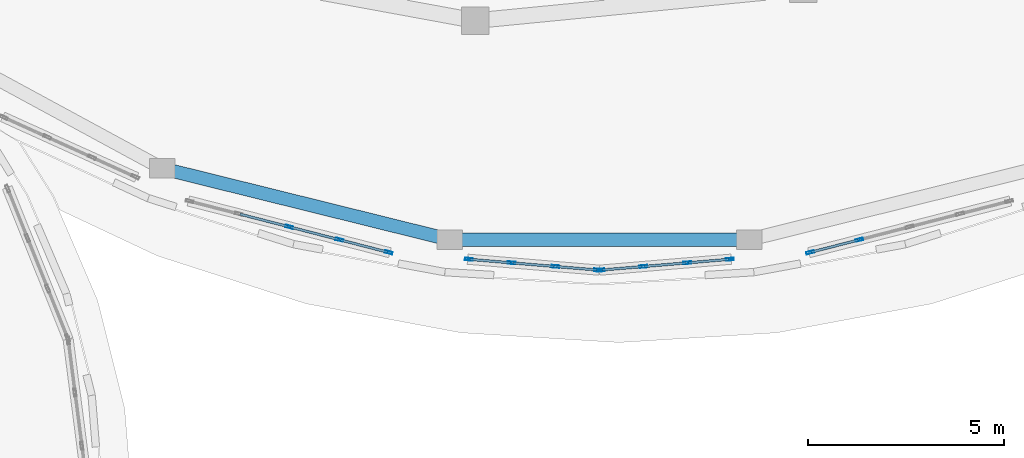
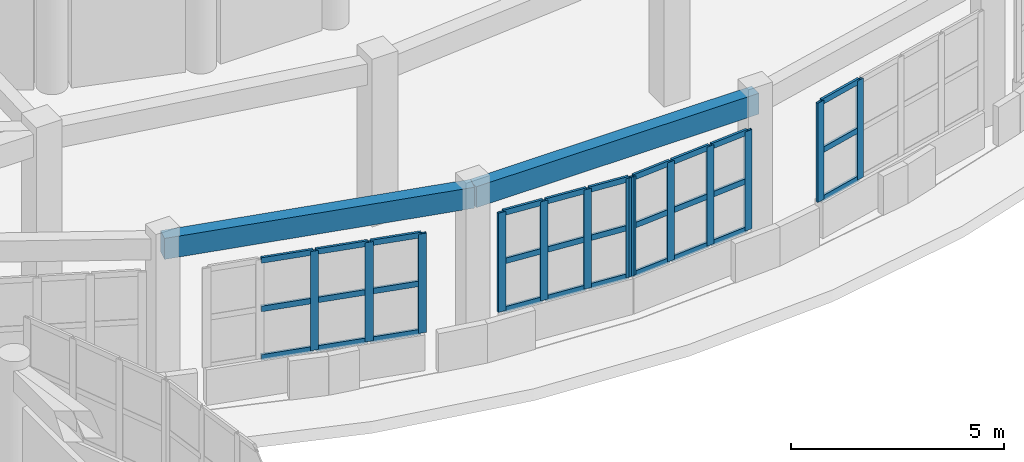
# One storey, part 28 of 98: 43 members, 2 beams, 4 elements without a shape of their own.
"""IFC4 building model written with IfcOpenShell, lengths in metres."""

from ifc_helpers import new_model, si_unit, direction, frame, origin, origin_2d, place, context, subcontext, project, spatial, rectangle, hollow_rectangle, extrude, material, layer, layer_set, material_profile, profile_set, type_object, element, aggregate, save


model = new_model("IFC4")

# Units and contexts
model_context = context("Model", 3, precision=1e-05, world=origin(), true_north=direction((0.0, 1.0)))
body_context = subcontext(model_context, "Body", "Model", "MODEL_VIEW")
ifc_project = project(units=[si_unit("LENGTHUNIT", "METRE"), si_unit("AREAUNIT", "SQUARE_METRE"), si_unit("VOLUMEUNIT", "CUBIC_METRE"), si_unit("PLANEANGLEUNIT", "RADIAN"), si_unit("MASSUNIT", "GRAM", prefix="KILO")], contexts=[model_context])

# Site, building, storey
site_placement = place(None, origin())
site = spatial("IfcSite", under=ifc_project, at=site_placement, CompositionType="ELEMENT")
building_placement = place(site_placement, origin())
building = spatial("IfcBuilding", under=site, at=building_placement, Name="Pelvatis Terrace Science Centre", CompositionType="ELEMENT")
storey_placement = place(building_placement, frame((0.0, 0.0, 5.39990234375)))
storey = spatial("IfcBuildingStorey", under=building, at=storey_placement, Name="L01", CompositionType="ELEMENT", Elevation=5.39990234375)

# Curtain wall, members
ifc_material_1 = material(Name="Bronze-anodised aluminium and laminated glass", Category="aluminium")
ifc_layer = layer(ifc_material_1, 0.199951171875)
ifc_layer_set = layer_set([ifc_layer], Name="Bronze-anodised aluminium and laminated glass")
curtain_wall_type = type_object("IfcCurtainWallType", Name="CW-RIBBON-B", PredefinedType="NOTDEFINED", material=ifc_layer_set)
curtain_wall_1_placement = place(storey_placement, origin())
curtain_wall_1 = element("IfcCurtainWall", 1, at=curtain_wall_1_placement, inside=storey, type_object=curtain_wall_type, Name="Ribbon curtain wall CW-145 (L01)", PredefinedType="NOTDEFINED")
ifc_material_2 = material(Name="Bronze-anodised aluminium 6063-T6", Category="aluminium")
ifc_material_profile_1 = material_profile(ifc_material_2, hollow_rectangle(XDim=0.06494140625, YDim=0.199951171875, WallThickness=0.00439453125, at=origin_2d()), Name="ALU-MUL 65x200")
ifc_profile_set_1 = profile_set([ifc_material_profile_1], Name="Bronze-anodised aluminium 6063-T6")
member_type_1 = type_object("IfcMemberType", Name="CWM-65x200", PredefinedType="MULLION", material=ifc_profile_set_1)
member_1_placement = place(storey_placement, frame((103.170166015625, 60.658203125, 1.02001953125), z_axis=(0.0, 0.0, 1.0), x_axis=(0.248854534923, 0.968540871852, 0.0)))
member_1 = element("IfcMember", 2, at=member_1_placement, type_object=member_type_1, Name="CW-145 mullion 3", PredefinedType="MULLION", context=body_context, shape_type="SweptSolid", body=[
    extrude(hollow_rectangle(XDim=0.06494140625, YDim=0.199951171875, WallThickness=0.00439453125, at=origin_2d()), origin(), (0.0, 0.0, 1.0), 2.840087890625),
])
member_2_placement = place(storey_placement, frame((104.45751953125, 60.327392578125, 1.02001953125), z_axis=(0.0, 0.0, 1.0), x_axis=(0.248854534923, 0.968540871852, 0.0)))
member_2 = element("IfcMember", 3, at=member_2_placement, type_object=member_type_1, Name="CW-145 mullion 4", PredefinedType="MULLION", context=body_context, shape_type="SweptSolid", body=[
    extrude(hollow_rectangle(XDim=0.06494140625, YDim=0.199951171875, WallThickness=0.00439453125, at=origin_2d()), origin(), (0.0, 0.0, 1.0), 2.840087890625),
])
member_3_placement = place(storey_placement, frame((105.71337890625, 60.0048828125, 1.02001953125), z_axis=(0.0, 0.0, 1.0), x_axis=(0.248854534923, 0.968540871852, 0.0)))
member_3 = element("IfcMember", 4, at=member_3_placement, type_object=member_type_1, Name="CW-145 mullion 5", PredefinedType="MULLION", context=body_context, shape_type="SweptSolid", body=[
    extrude(hollow_rectangle(XDim=0.06494140625, YDim=0.199951171875, WallThickness=0.00439453125, at=origin_2d()), origin(), (0.0, 0.0, 1.0), 2.840087890625),
])

curtain_wall_2_placement = place(storey_placement, origin())
curtain_wall_2 = element("IfcCurtainWall", 5, at=curtain_wall_2_placement, inside=storey, type_object=curtain_wall_type, Name="Ribbon curtain wall CW-146 (L01)", PredefinedType="NOTDEFINED")
member_4_placement = place(storey_placement, frame((107.76416015625, 59.828369140625, 1.02001953125), z_axis=(0.0, 0.0, 1.0), x_axis=(0.083136073241, 0.99653820465, 0.0)))
member_4 = element("IfcMember", 6, at=member_4_placement, type_object=member_type_1, Name="CW-146 mullion 1", PredefinedType="MULLION", context=body_context, shape_type="SweptSolid", body=[
    extrude(hollow_rectangle(XDim=0.06494140625, YDim=0.199951171875, WallThickness=0.00439453125, at=origin_2d()), origin(), (0.0, 0.0, 1.0), 2.840087890625),
])
member_5_placement = place(storey_placement, frame((108.8544921875, 59.7373046875, 1.02001953125), z_axis=(0.0, 0.0, 1.0), x_axis=(0.083136073241, 0.99653820465, 0.0)))
member_5 = element("IfcMember", 7, at=member_5_placement, type_object=member_type_1, Name="CW-146 mullion 2", PredefinedType="MULLION", context=body_context, shape_type="SweptSolid", body=[
    extrude(hollow_rectangle(XDim=0.06494140625, YDim=0.199951171875, WallThickness=0.00439453125, at=origin_2d()), origin(), (0.0, 0.0, 1.0), 2.840087890625),
])
member_6_placement = place(storey_placement, frame((109.977294921875, 59.6435546875, 1.02001953125), z_axis=(0.0, 0.0, 1.0), x_axis=(0.083136073241, 0.99653820465, 0.0)))
member_6 = element("IfcMember", 8, at=member_6_placement, type_object=member_type_1, Name="CW-146 mullion 3", PredefinedType="MULLION", context=body_context, shape_type="SweptSolid", body=[
    extrude(hollow_rectangle(XDim=0.06494140625, YDim=0.199951171875, WallThickness=0.00439453125, at=origin_2d()), origin(), (0.0, 0.0, 1.0), 2.840087890625),
])
member_7_placement = place(storey_placement, frame((111.067626953125, 59.552734375, 1.02001953125), z_axis=(0.0, 0.0, 1.0), x_axis=(0.083136073241, 0.99653820465, 0.0)))
member_7 = element("IfcMember", 9, at=member_7_placement, type_object=member_type_1, Name="CW-146 mullion 4", PredefinedType="MULLION", context=body_context, shape_type="SweptSolid", body=[
    extrude(hollow_rectangle(XDim=0.06494140625, YDim=0.199951171875, WallThickness=0.00439453125, at=origin_2d()), origin(), (0.0, 0.0, 1.0), 2.840087890625),
])

curtain_wall_3_placement = place(storey_placement, origin())
curtain_wall_3 = element("IfcCurtainWall", 10, at=curtain_wall_3_placement, inside=storey, type_object=curtain_wall_type, Name="Ribbon curtain wall CW-147 (L01)", PredefinedType="NOTDEFINED")
member_8_placement = place(storey_placement, frame((111.13232421875, 59.552734375, 1.02001953125), z_axis=(0.0, 0.0, 1.0), x_axis=(-0.083136073241, 0.99653820465, 0.0)))
member_8 = element("IfcMember", 11, at=member_8_placement, type_object=member_type_1, Name="CW-147 mullion 1", PredefinedType="MULLION", context=body_context, shape_type="SweptSolid", body=[
    extrude(hollow_rectangle(XDim=0.06494140625, YDim=0.199951171875, WallThickness=0.00439453125, at=origin_2d()), origin(), (0.0, 0.0, 1.0), 2.840087890625),
])
member_9_placement = place(storey_placement, frame((112.22265625, 59.6435546875, 1.02001953125), z_axis=(0.0, 0.0, 1.0), x_axis=(-0.083136073241, 0.99653820465, 0.0)))
member_9 = element("IfcMember", 12, at=member_9_placement, type_object=member_type_1, Name="CW-147 mullion 2", PredefinedType="MULLION", context=body_context, shape_type="SweptSolid", body=[
    extrude(hollow_rectangle(XDim=0.06494140625, YDim=0.199951171875, WallThickness=0.00439453125, at=origin_2d()), origin(), (0.0, 0.0, 1.0), 2.840087890625),
])
member_10_placement = place(storey_placement, frame((113.345458984375, 59.7373046875, 1.02001953125), z_axis=(0.0, 0.0, 1.0), x_axis=(-0.083136073241, 0.99653820465, 0.0)))
member_10 = element("IfcMember", 13, at=member_10_placement, type_object=member_type_1, Name="CW-147 mullion 3", PredefinedType="MULLION", context=body_context, shape_type="SweptSolid", body=[
    extrude(hollow_rectangle(XDim=0.06494140625, YDim=0.199951171875, WallThickness=0.00439453125, at=origin_2d()), origin(), (0.0, 0.0, 1.0), 2.840087890625),
])
member_11_placement = place(storey_placement, frame((114.435791015625, 59.828369140625, 1.02001953125), z_axis=(0.0, 0.0, 1.0), x_axis=(-0.083136073241, 0.99653820465, 0.0)))
member_11 = element("IfcMember", 14, at=member_11_placement, type_object=member_type_1, Name="CW-147 mullion 4", PredefinedType="MULLION", context=body_context, shape_type="SweptSolid", body=[
    extrude(hollow_rectangle(XDim=0.06494140625, YDim=0.199951171875, WallThickness=0.00439453125, at=origin_2d()), origin(), (0.0, 0.0, 1.0), 2.840087890625),
])

curtain_wall_4_placement = place(storey_placement, origin())
curtain_wall_4 = element("IfcCurtainWall", 15, at=curtain_wall_4_placement, inside=storey, type_object=curtain_wall_type, Name="Ribbon curtain wall CW-148 (L01)", PredefinedType="NOTDEFINED")
member_12_placement = place(storey_placement, frame((116.486572265625, 60.0048828125, 1.02001953125), z_axis=(0.0, 0.0, 1.0), x_axis=(-0.248854534923, 0.968540871852, 0.0)))
member_12 = element("IfcMember", 16, at=member_12_placement, type_object=member_type_1, Name="CW-148 mullion 1", PredefinedType="MULLION", context=body_context, shape_type="SweptSolid", body=[
    extrude(hollow_rectangle(XDim=0.06494140625, YDim=0.199951171875, WallThickness=0.00439453125, at=origin_2d()), origin(), (0.0, 0.0, 1.0), 2.840087890625),
])
member_13_placement = place(storey_placement, frame((117.74267578125, 60.327392578125, 1.02001953125), z_axis=(0.0, 0.0, 1.0), x_axis=(-0.248854534923, 0.968540871852, 0.0)))
member_13 = element("IfcMember", 17, at=member_13_placement, type_object=member_type_1, Name="CW-148 mullion 2", PredefinedType="MULLION", context=body_context, shape_type="SweptSolid", body=[
    extrude(hollow_rectangle(XDim=0.06494140625, YDim=0.199951171875, WallThickness=0.00439453125, at=origin_2d()), origin(), (0.0, 0.0, 1.0), 2.840087890625),
])

# Member
ifc_material_3 = material(Name="Bronze-anodised aluminium 6063-T6", Category="aluminium")
ifc_material_profile_2 = material_profile(ifc_material_3, hollow_rectangle(XDim=0.06494140625, YDim=0.159912109375, WallThickness=0.00390625, at=origin_2d()), Name="ALU-TRN 65x160")
ifc_profile_set_2 = profile_set([ifc_material_profile_2], Name="Bronze-anodised aluminium 6063-T6")
member_type_2 = type_object("IfcMemberType", Name="CWT-65x160", PredefinedType="USERDEFINED", material=ifc_profile_set_2)
member_14_placement = place(storey_placement, frame((101.9140625, 60.98095703125, 1.052490234375), z_axis=(0.968531509085, -0.248890971932, 0.0), x_axis=(0.248890971932, 0.968531509085, 0.0)))
member_14 = element("IfcMember", 18, at=member_14_placement, type_object=member_type_2, Name="CW-145 transom 2.1", ObjectType="TRANSOM", PredefinedType="USERDEFINED", context=body_context, shape_type="SweptSolid", body=[
    extrude(hollow_rectangle(XDim=0.06494140625, YDim=0.159912109375, WallThickness=0.00390625, at=origin_2d()), origin(), (0.0, 0.0, 1.0), 1.264404296875),
])

member_15_placement = place(storey_placement, frame((101.9140625, 60.98095703125, 2.440185546875), z_axis=(0.968531509085, -0.248890971932, 0.0), x_axis=(0.248890971932, 0.968531509085, 0.0)))
member_15 = element("IfcMember", 19, at=member_15_placement, type_object=member_type_2, Name="CW-145 transom 2.2", ObjectType="TRANSOM", PredefinedType="USERDEFINED", context=body_context, shape_type="SweptSolid", body=[
    extrude(hollow_rectangle(XDim=0.06494140625, YDim=0.159912109375, WallThickness=0.00390625, at=origin_2d()), origin(), (0.0, 0.0, 1.0), 1.264404296875),
])

member_16_placement = place(storey_placement, frame((101.9140625, 60.98095703125, 3.82763671875), z_axis=(0.968531509085, -0.248890971932, 0.0), x_axis=(0.248890971932, 0.968531509085, 0.0)))
member_16 = element("IfcMember", 20, at=member_16_placement, type_object=member_type_2, Name="CW-145 transom 2.3", ObjectType="TRANSOM", PredefinedType="USERDEFINED", context=body_context, shape_type="SweptSolid", body=[
    extrude(hollow_rectangle(XDim=0.06494140625, YDim=0.159912109375, WallThickness=0.00390625, at=origin_2d()), origin(), (0.0, 0.0, 1.0), 1.264404296875),
])

member_17_placement = place(storey_placement, frame((103.201416015625, 60.650146484375, 1.052490234375), z_axis=(0.968531509085, -0.248890971932, 0.0), x_axis=(0.248890971932, 0.968531509085, 0.0)))
member_17 = element("IfcMember", 21, at=member_17_placement, type_object=member_type_2, Name="CW-145 transom 3.1", ObjectType="TRANSOM", PredefinedType="USERDEFINED", context=body_context, shape_type="SweptSolid", body=[
    extrude(hollow_rectangle(XDim=0.06494140625, YDim=0.159912109375, WallThickness=0.00390625, at=origin_2d()), origin(), (0.0, 0.0, 1.0), 1.264404296875),
])

member_18_placement = place(storey_placement, frame((103.201416015625, 60.650146484375, 2.440185546875), z_axis=(0.968531509085, -0.248890971932, 0.0), x_axis=(0.248890971932, 0.968531509085, 0.0)))
member_18 = element("IfcMember", 22, at=member_18_placement, type_object=member_type_2, Name="CW-145 transom 3.2", ObjectType="TRANSOM", PredefinedType="USERDEFINED", context=body_context, shape_type="SweptSolid", body=[
    extrude(hollow_rectangle(XDim=0.06494140625, YDim=0.159912109375, WallThickness=0.00390625, at=origin_2d()), origin(), (0.0, 0.0, 1.0), 1.264404296875),
])

member_19_placement = place(storey_placement, frame((103.201416015625, 60.650146484375, 3.82763671875), z_axis=(0.968531509085, -0.248890971932, 0.0), x_axis=(0.248890971932, 0.968531509085, 0.0)))
member_19 = element("IfcMember", 23, at=member_19_placement, type_object=member_type_2, Name="CW-145 transom 3.3", ObjectType="TRANSOM", PredefinedType="USERDEFINED", context=body_context, shape_type="SweptSolid", body=[
    extrude(hollow_rectangle(XDim=0.06494140625, YDim=0.159912109375, WallThickness=0.00390625, at=origin_2d()), origin(), (0.0, 0.0, 1.0), 1.264404296875),
])

member_20_placement = place(storey_placement, frame((104.489013671875, 60.3193359375, 1.052490234375), z_axis=(0.968559834947, -0.248780718964, 0.0), x_axis=(0.248780718964, 0.968559834947, 0.0)))
member_20 = element("IfcMember", 24, at=member_20_placement, type_object=member_type_2, Name="CW-145 transom 4.1", ObjectType="TRANSOM", PredefinedType="USERDEFINED", context=body_context, shape_type="SweptSolid", body=[
    extrude(hollow_rectangle(XDim=0.06494140625, YDim=0.159912109375, WallThickness=0.00390625, at=origin_2d()), origin(), (0.0, 0.0, 1.0), 1.231689453125),
])

member_21_placement = place(storey_placement, frame((104.489013671875, 60.3193359375, 2.440185546875), z_axis=(0.968559834947, -0.248780718964, 0.0), x_axis=(0.248780718964, 0.968559834947, 0.0)))
member_21 = element("IfcMember", 25, at=member_21_placement, type_object=member_type_2, Name="CW-145 transom 4.2", ObjectType="TRANSOM", PredefinedType="USERDEFINED", context=body_context, shape_type="SweptSolid", body=[
    extrude(hollow_rectangle(XDim=0.06494140625, YDim=0.159912109375, WallThickness=0.00390625, at=origin_2d()), origin(), (0.0, 0.0, 1.0), 1.231689453125),
])

member_22_placement = place(storey_placement, frame((104.489013671875, 60.3193359375, 3.82763671875), z_axis=(0.968559834947, -0.248780718964, 0.0), x_axis=(0.248780718964, 0.968559834947, 0.0)))
member_22 = element("IfcMember", 26, at=member_22_placement, type_object=member_type_2, Name="CW-145 transom 4.3", ObjectType="TRANSOM", PredefinedType="USERDEFINED", context=body_context, shape_type="SweptSolid", body=[
    extrude(hollow_rectangle(XDim=0.06494140625, YDim=0.159912109375, WallThickness=0.00390625, at=origin_2d()), origin(), (0.0, 0.0, 1.0), 1.231689453125),
])

aggregate(curtain_wall_1, [member_1, member_2, member_3, member_14, member_15, member_16, member_17, member_18, member_19, member_20, member_21, member_22])

member_23_placement = place(storey_placement, frame((107.79638671875, 59.82568359375, 1.052490234375), z_axis=(0.996527739453, -0.083261422649, 0.0), x_axis=(0.083261422649, 0.996527739453, 0.0)))
member_23 = element("IfcMember", 27, at=member_23_placement, type_object=member_type_2, Name="CW-146 transom 1.1", ObjectType="TRANSOM", PredefinedType="USERDEFINED", context=body_context, shape_type="SweptSolid", body=[
    extrude(hollow_rectangle(XDim=0.06494140625, YDim=0.159912109375, WallThickness=0.00390625, at=origin_2d()), origin(), (0.0, 0.0, 1.0), 1.029296875),
])

member_24_placement = place(storey_placement, frame((107.79638671875, 59.82568359375, 2.440185546875), z_axis=(0.996527739453, -0.083261422649, 0.0), x_axis=(0.083261422649, 0.996527739453, 0.0)))
member_24 = element("IfcMember", 28, at=member_24_placement, type_object=member_type_2, Name="CW-146 transom 1.2", ObjectType="TRANSOM", PredefinedType="USERDEFINED", context=body_context, shape_type="SweptSolid", body=[
    extrude(hollow_rectangle(XDim=0.06494140625, YDim=0.159912109375, WallThickness=0.00390625, at=origin_2d()), origin(), (0.0, 0.0, 1.0), 1.029296875),
])

member_25_placement = place(storey_placement, frame((107.79638671875, 59.82568359375, 3.82763671875), z_axis=(0.996527739453, -0.083261422649, 0.0), x_axis=(0.083261422649, 0.996527739453, 0.0)))
member_25 = element("IfcMember", 29, at=member_25_placement, type_object=member_type_2, Name="CW-146 transom 1.3", ObjectType="TRANSOM", PredefinedType="USERDEFINED", context=body_context, shape_type="SweptSolid", body=[
    extrude(hollow_rectangle(XDim=0.06494140625, YDim=0.159912109375, WallThickness=0.00390625, at=origin_2d()), origin(), (0.0, 0.0, 1.0), 1.029296875),
])

member_26_placement = place(storey_placement, frame((108.886962890625, 59.734619140625, 1.052490234375), z_axis=(0.996547344202, -0.083026446171, 0.0), x_axis=(0.083026446171, 0.996547344202, 0.0)))
member_26 = element("IfcMember", 30, at=member_26_placement, type_object=member_type_2, Name="CW-146 transom 2.1", ObjectType="TRANSOM", PredefinedType="USERDEFINED", context=body_context, shape_type="SweptSolid", body=[
    extrude(hollow_rectangle(XDim=0.06494140625, YDim=0.159912109375, WallThickness=0.00390625, at=origin_2d()), origin(), (0.0, 0.0, 1.0), 1.0615234375),
])

member_27_placement = place(storey_placement, frame((108.886962890625, 59.734619140625, 2.440185546875), z_axis=(0.996547344202, -0.083026446171, 0.0), x_axis=(0.083026446171, 0.996547344202, 0.0)))
member_27 = element("IfcMember", 31, at=member_27_placement, type_object=member_type_2, Name="CW-146 transom 2.2", ObjectType="TRANSOM", PredefinedType="USERDEFINED", context=body_context, shape_type="SweptSolid", body=[
    extrude(hollow_rectangle(XDim=0.06494140625, YDim=0.159912109375, WallThickness=0.00390625, at=origin_2d()), origin(), (0.0, 0.0, 1.0), 1.0615234375),
])

member_28_placement = place(storey_placement, frame((108.886962890625, 59.734619140625, 3.82763671875), z_axis=(0.996547344202, -0.083026446171, 0.0), x_axis=(0.083026446171, 0.996547344202, 0.0)))
member_28 = element("IfcMember", 32, at=member_28_placement, type_object=member_type_2, Name="CW-146 transom 2.3", ObjectType="TRANSOM", PredefinedType="USERDEFINED", context=body_context, shape_type="SweptSolid", body=[
    extrude(hollow_rectangle(XDim=0.06494140625, YDim=0.159912109375, WallThickness=0.00390625, at=origin_2d()), origin(), (0.0, 0.0, 1.0), 1.0615234375),
])

member_29_placement = place(storey_placement, frame((110.009521484375, 59.640869140625, 1.052490234375), z_axis=(0.996547394029, -0.08302584811, 0.0), x_axis=(0.08302584811, 0.996547394029, 0.0)))
member_29 = element("IfcMember", 33, at=member_29_placement, type_object=member_type_2, Name="CW-146 transom 3.1", ObjectType="TRANSOM", PredefinedType="USERDEFINED", context=body_context, shape_type="SweptSolid", body=[
    extrude(hollow_rectangle(XDim=0.06494140625, YDim=0.159912109375, WallThickness=0.00390625, at=origin_2d()), origin(), (0.0, 0.0, 1.0), 1.029296875),
])

member_30_placement = place(storey_placement, frame((110.009521484375, 59.640869140625, 2.440185546875), z_axis=(0.996547394029, -0.08302584811, 0.0), x_axis=(0.08302584811, 0.996547394029, 0.0)))
member_30 = element("IfcMember", 34, at=member_30_placement, type_object=member_type_2, Name="CW-146 transom 3.2", ObjectType="TRANSOM", PredefinedType="USERDEFINED", context=body_context, shape_type="SweptSolid", body=[
    extrude(hollow_rectangle(XDim=0.06494140625, YDim=0.159912109375, WallThickness=0.00390625, at=origin_2d()), origin(), (0.0, 0.0, 1.0), 1.029296875),
])

member_31_placement = place(storey_placement, frame((110.009521484375, 59.640869140625, 3.82763671875), z_axis=(0.996547394029, -0.08302584811, 0.0), x_axis=(0.08302584811, 0.996547394029, 0.0)))
member_31 = element("IfcMember", 35, at=member_31_placement, type_object=member_type_2, Name="CW-146 transom 3.3", ObjectType="TRANSOM", PredefinedType="USERDEFINED", context=body_context, shape_type="SweptSolid", body=[
    extrude(hollow_rectangle(XDim=0.06494140625, YDim=0.159912109375, WallThickness=0.00390625, at=origin_2d()), origin(), (0.0, 0.0, 1.0), 1.029296875),
])

aggregate(curtain_wall_2, [member_4, member_5, member_6, member_7, member_23, member_24, member_25, member_26, member_27, member_28, member_29, member_30, member_31])

member_32_placement = place(storey_placement, frame((111.164794921875, 59.555419921875, 1.052490234375), z_axis=(0.996547394029, 0.08302584811, 0.0), x_axis=(-0.08302584811, 0.996547394029, 0.0)))
member_32 = element("IfcMember", 36, at=member_32_placement, type_object=member_type_2, Name="CW-147 transom 1.1", ObjectType="TRANSOM", PredefinedType="USERDEFINED", context=body_context, shape_type="SweptSolid", body=[
    extrude(hollow_rectangle(XDim=0.06494140625, YDim=0.159912109375, WallThickness=0.00390625, at=origin_2d()), origin(), (0.0, 0.0, 1.0), 1.029296875),
])

member_33_placement = place(storey_placement, frame((111.164794921875, 59.555419921875, 2.440185546875), z_axis=(0.996547394029, 0.08302584811, 0.0), x_axis=(-0.08302584811, 0.996547394029, 0.0)))
member_33 = element("IfcMember", 37, at=member_33_placement, type_object=member_type_2, Name="CW-147 transom 1.2", ObjectType="TRANSOM", PredefinedType="USERDEFINED", context=body_context, shape_type="SweptSolid", body=[
    extrude(hollow_rectangle(XDim=0.06494140625, YDim=0.159912109375, WallThickness=0.00390625, at=origin_2d()), origin(), (0.0, 0.0, 1.0), 1.029296875),
])

member_34_placement = place(storey_placement, frame((111.164794921875, 59.555419921875, 3.82763671875), z_axis=(0.996547394029, 0.08302584811, 0.0), x_axis=(-0.08302584811, 0.996547394029, 0.0)))
member_34 = element("IfcMember", 38, at=member_34_placement, type_object=member_type_2, Name="CW-147 transom 1.3", ObjectType="TRANSOM", PredefinedType="USERDEFINED", context=body_context, shape_type="SweptSolid", body=[
    extrude(hollow_rectangle(XDim=0.06494140625, YDim=0.159912109375, WallThickness=0.00390625, at=origin_2d()), origin(), (0.0, 0.0, 1.0), 1.029296875),
])

member_35_placement = place(storey_placement, frame((112.255126953125, 59.646484375, 1.052490234375), z_axis=(0.996548929069, 0.08300742118, 0.0), x_axis=(-0.08300742118, 0.996548929069, 0.0)))
member_35 = element("IfcMember", 39, at=member_35_placement, type_object=member_type_2, Name="CW-147 transom 2.1", ObjectType="TRANSOM", PredefinedType="USERDEFINED", context=body_context, shape_type="SweptSolid", body=[
    extrude(hollow_rectangle(XDim=0.06494140625, YDim=0.159912109375, WallThickness=0.00390625, at=origin_2d()), origin(), (0.0, 0.0, 1.0), 1.061767578125),
])

member_36_placement = place(storey_placement, frame((112.255126953125, 59.646484375, 2.440185546875), z_axis=(0.996548929069, 0.08300742118, 0.0), x_axis=(-0.08300742118, 0.996548929069, 0.0)))
member_36 = element("IfcMember", 40, at=member_36_placement, type_object=member_type_2, Name="CW-147 transom 2.2", ObjectType="TRANSOM", PredefinedType="USERDEFINED", context=body_context, shape_type="SweptSolid", body=[
    extrude(hollow_rectangle(XDim=0.06494140625, YDim=0.159912109375, WallThickness=0.00390625, at=origin_2d()), origin(), (0.0, 0.0, 1.0), 1.061767578125),
])

member_37_placement = place(storey_placement, frame((112.255126953125, 59.646484375, 3.82763671875), z_axis=(0.996548929069, 0.08300742118, 0.0), x_axis=(-0.08300742118, 0.996548929069, 0.0)))
member_37 = element("IfcMember", 41, at=member_37_placement, type_object=member_type_2, Name="CW-147 transom 2.3", ObjectType="TRANSOM", PredefinedType="USERDEFINED", context=body_context, shape_type="SweptSolid", body=[
    extrude(hollow_rectangle(XDim=0.06494140625, YDim=0.159912109375, WallThickness=0.00390625, at=origin_2d()), origin(), (0.0, 0.0, 1.0), 1.061767578125),
])

member_38_placement = place(storey_placement, frame((113.3779296875, 59.739990234375, 1.052490234375), z_axis=(0.996527739453, 0.083261422649, 0.0), x_axis=(-0.083261422649, 0.996527739453, 0.0)))
member_38 = element("IfcMember", 42, at=member_38_placement, type_object=member_type_2, Name="CW-147 transom 3.1", ObjectType="TRANSOM", PredefinedType="USERDEFINED", context=body_context, shape_type="SweptSolid", body=[
    extrude(hollow_rectangle(XDim=0.06494140625, YDim=0.159912109375, WallThickness=0.00390625, at=origin_2d()), origin(), (0.0, 0.0, 1.0), 1.029296875),
])

member_39_placement = place(storey_placement, frame((113.3779296875, 59.739990234375, 2.440185546875), z_axis=(0.996527739453, 0.083261422649, 0.0), x_axis=(-0.083261422649, 0.996527739453, 0.0)))
member_39 = element("IfcMember", 43, at=member_39_placement, type_object=member_type_2, Name="CW-147 transom 3.2", ObjectType="TRANSOM", PredefinedType="USERDEFINED", context=body_context, shape_type="SweptSolid", body=[
    extrude(hollow_rectangle(XDim=0.06494140625, YDim=0.159912109375, WallThickness=0.00390625, at=origin_2d()), origin(), (0.0, 0.0, 1.0), 1.029296875),
])

member_40_placement = place(storey_placement, frame((113.3779296875, 59.739990234375, 3.82763671875), z_axis=(0.996527739453, 0.083261422649, 0.0), x_axis=(-0.083261422649, 0.996527739453, 0.0)))
member_40 = element("IfcMember", 44, at=member_40_placement, type_object=member_type_2, Name="CW-147 transom 3.3", ObjectType="TRANSOM", PredefinedType="USERDEFINED", context=body_context, shape_type="SweptSolid", body=[
    extrude(hollow_rectangle(XDim=0.06494140625, YDim=0.159912109375, WallThickness=0.00390625, at=origin_2d()), origin(), (0.0, 0.0, 1.0), 1.029296875),
])

aggregate(curtain_wall_3, [member_8, member_9, member_10, member_11, member_32, member_33, member_34, member_35, member_36, member_37, member_38, member_39, member_40])

member_41_placement = place(storey_placement, frame((116.51806640625, 60.012939453125, 1.052490234375), z_axis=(0.968572100337, 0.248732962129, 0.0), x_axis=(-0.248732962129, 0.968572100337, 0.0)))
member_41 = element("IfcMember", 45, at=member_41_placement, type_object=member_type_2, Name="CW-148 transom 1.1", ObjectType="TRANSOM", PredefinedType="USERDEFINED", context=body_context, shape_type="SweptSolid", body=[
    extrude(hollow_rectangle(XDim=0.06494140625, YDim=0.159912109375, WallThickness=0.00390625, at=origin_2d()), origin(), (0.0, 0.0, 1.0), 1.23193359375),
])

member_42_placement = place(storey_placement, frame((116.51806640625, 60.012939453125, 2.440185546875), z_axis=(0.968572100337, 0.248732962129, 0.0), x_axis=(-0.248732962129, 0.968572100337, 0.0)))
member_42 = element("IfcMember", 46, at=member_42_placement, type_object=member_type_2, Name="CW-148 transom 1.2", ObjectType="TRANSOM", PredefinedType="USERDEFINED", context=body_context, shape_type="SweptSolid", body=[
    extrude(hollow_rectangle(XDim=0.06494140625, YDim=0.159912109375, WallThickness=0.00390625, at=origin_2d()), origin(), (0.0, 0.0, 1.0), 1.23193359375),
])

member_43_placement = place(storey_placement, frame((116.51806640625, 60.012939453125, 3.82763671875), z_axis=(0.968572100337, 0.248732962129, 0.0), x_axis=(-0.248732962129, 0.968572100337, 0.0)))
member_43 = element("IfcMember", 47, at=member_43_placement, type_object=member_type_2, Name="CW-148 transom 1.3", ObjectType="TRANSOM", PredefinedType="USERDEFINED", context=body_context, shape_type="SweptSolid", body=[
    extrude(hollow_rectangle(XDim=0.06494140625, YDim=0.159912109375, WallThickness=0.00390625, at=origin_2d()), origin(), (0.0, 0.0, 1.0), 1.23193359375),
])

aggregate(curtain_wall_4, [member_12, member_13, member_41, member_42, member_43])

# Beams
ifc_material_4 = material(Name="Concrete C35/45", Category="concrete")
ifc_material_profile_3 = material_profile(ifc_material_4, rectangle(XDim=0.340087890625, YDim=0.60009765625, at=origin_2d()), Name="RC-SPN 340x600")
ifc_profile_set_3 = profile_set([ifc_material_profile_3], Name="Concrete C35/45")
beam_type = type_object("IfcBeamType", Name="SPN-RC-340x600", PredefinedType="SPANDREL", material=ifc_profile_set_3)
beam_1_placement = place(storey_placement, frame((99.92529296875, 62.1513671875, 4.239990234375), z_axis=(0.970647009087, -0.240508593923, 0.0), x_axis=(0.240508593923, 0.970647009087, 0.0)))
element("IfcBeam", 48, at=beam_1_placement, inside=storey, type_object=beam_type, Name="Spandrel SP-L01-2658", PredefinedType="SPANDREL", context=body_context, shape_type="SweptSolid", body=[
    extrude(rectangle(XDim=0.340087890625, YDim=0.60009765625, at=origin_2d()), origin(), (0.0, 0.0, 1.0), 7.568603515625),
])
beam_2_placement = place(storey_placement, frame((107.271728515625, 60.3310546875, 4.239990234375), z_axis=(1.0, 0.0, 0.0), x_axis=(0.0, 1.0, 0.0)))
element("IfcBeam", 49, at=beam_2_placement, inside=storey, type_object=beam_type, Name="Spandrel SP-L01-2659", PredefinedType="SPANDREL", context=body_context, shape_type="SweptSolid", body=[
    extrude(rectangle(XDim=0.340087890625, YDim=0.60009765625, at=origin_2d()), origin(), (0.0, 0.0, 1.0), 7.656494140625),
])

save(model, "model.ifc")
